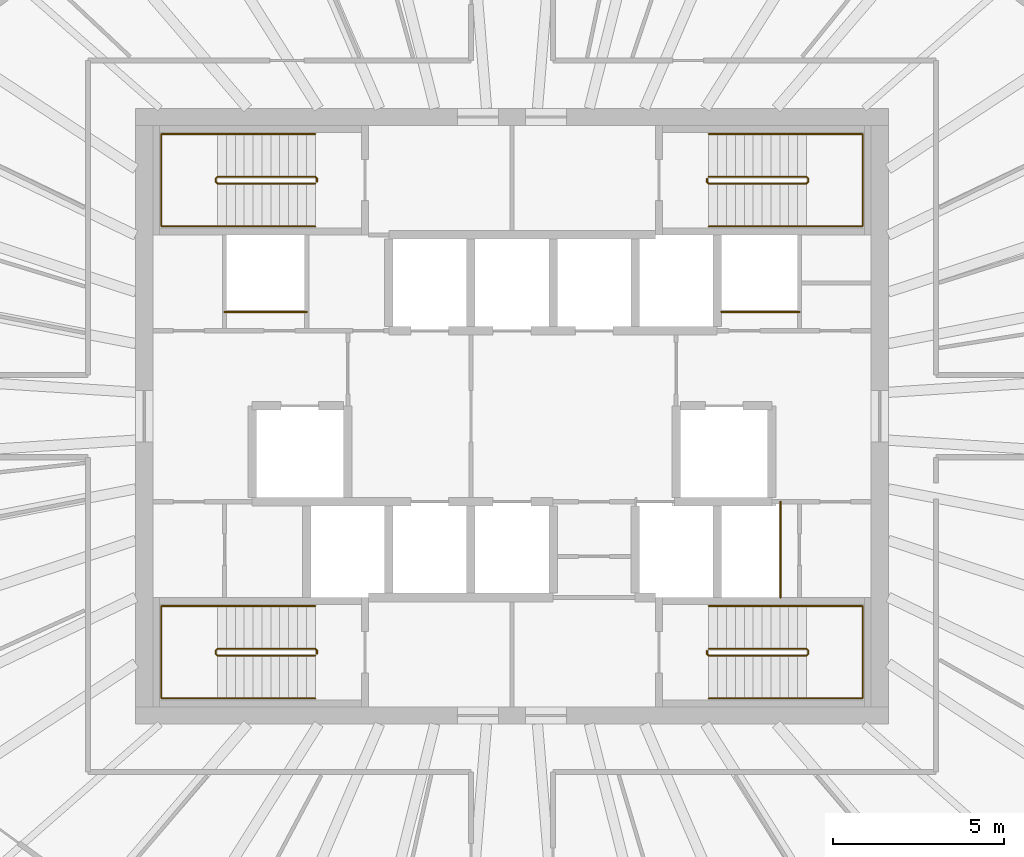
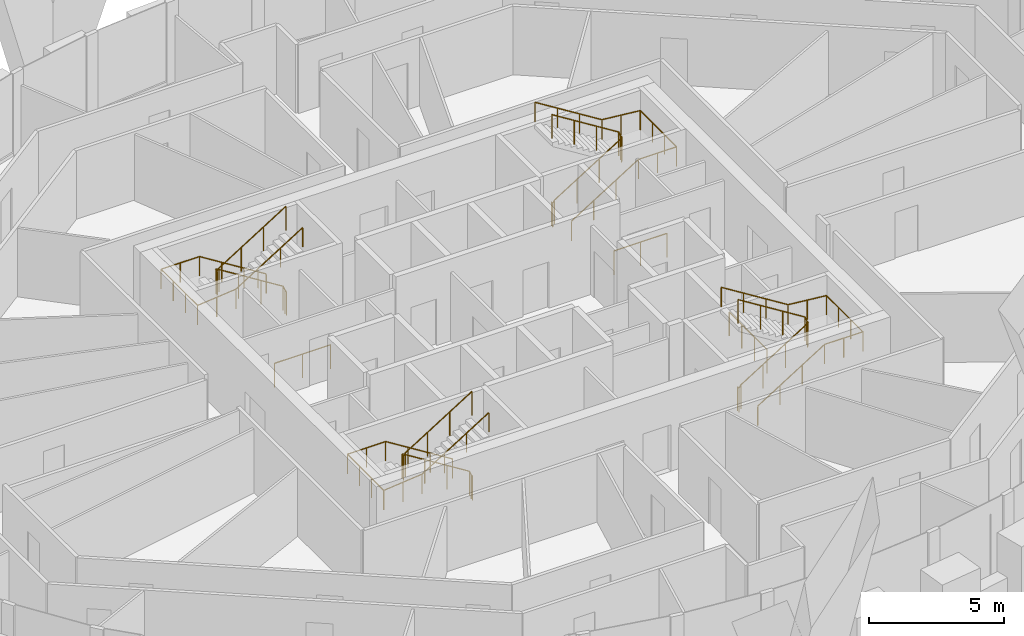
# One storey, part 13 of 13: 11 railings.
"""IFC4 building model written with IfcOpenShell, lengths in metres."""

import ifcopenshell
import ifcopenshell.guid

model = None  # the IFC model being written
_history = None  # IfcOwnerHistory: only IFC2X3 demands one
_inside = {}  # id of a spatial element -> (the spatial element, [elements in it])
_under = {}  # id of a project, library or spatial element -> (it, [spatial elements below it])
_declared = {}  # id of a project -> (the project, [libraries it declares])
_typed = {}  # id of a type object -> (the type object, [elements of that type])
_made_of = {}  # id of a material, layer set ... -> (it, [elements and type objects made of it])


def new_model(schema):
    """Start an empty IFC model of exactly this schema.

    Asked for "IFC4X3", IfcOpenShell would pick the latest addendum, in which some entities
    have other attributes; the version numbers below select the first issue.
    IFC2X3 requires an IfcOwnerHistory on every rooted entity: one is made here for all.
    """
    global model, _history
    if schema == "IFC4X3":
        model = ifcopenshell.file(schema_version=(4, 3, 0, 0))
    else:
        model = ifcopenshell.file(schema=schema)
    _inside.clear()
    _under.clear()
    _declared.clear()
    _typed.clear()
    _made_of.clear()
    _history = None
    if model.schema == "IFC2X3":
        org = make("IfcOrganization", Name="unknown")
        user = make(
            "IfcPersonAndOrganization",
            ThePerson=make("IfcPerson", FamilyName="unknown"),
            TheOrganization=org,
        )
        app = make(
            "IfcApplication",
            ApplicationDeveloper=org,
            Version="unknown",
            ApplicationFullName="unknown",
            ApplicationIdentifier="unknown",
        )
        _history = make(
            "IfcOwnerHistory",
            OwningUser=user,
            OwningApplication=app,
            ChangeAction="ADDED",
            CreationDate=0,
        )
    return model


def make(cls, **values):
    """One entity of the class cls with the attributes given. An attribute that is None is left unset."""
    return model.create_entity(
        cls, **{name: value for name, value in values.items() if value is not None}
    )


def rooted(cls, **values):
    """An entity with a GlobalId (a new one), such as an element, a storey or a relation."""
    return make(cls, GlobalId=ifcopenshell.guid.new(), OwnerHistory=_history, **values)


def si_unit(unit_type, name, prefix=None):
    """IfcSIUnit, for example si_unit("LENGTHUNIT", "METRE", prefix="MILLI")."""
    return make("IfcSIUnit", UnitType=unit_type, Prefix=prefix, Name=name)


def assignment(units):
    """IfcUnitAssignment: the units of a project."""
    return None if units is None else make("IfcUnitAssignment", Units=units)


def point(xyz):
    """IfcCartesianPoint."""
    return None if xyz is None else make("IfcCartesianPoint", Coordinates=xyz)


def direction(xyz):
    """IfcDirection."""
    return None if xyz is None else make("IfcDirection", DirectionRatios=xyz)


def frame(location, z_axis=None, x_axis=None):
    """IfcAxis2Placement3D, a coordinate frame: its origin and axes. An axis left out is left unset."""
    return make(
        "IfcAxis2Placement3D",
        Location=point(location),
        Axis=direction(z_axis),
        RefDirection=direction(x_axis),
    )


def frame_2d(location, x_axis=None):
    """IfcAxis2Placement2D, a coordinate frame in the plane: its origin and x axis."""
    return make(
        "IfcAxis2Placement2D", Location=point(location), RefDirection=direction(x_axis)
    )


def origin():
    """The frame at (0, 0, 0) with its axes left unset."""
    return frame((0.0, 0.0, 0.0))


def origin_2d():
    """The frame at (0, 0) in the plane with its x axis left unset."""
    return frame_2d((0.0, 0.0))


def place(relative_to, where):
    """IfcLocalPlacement: puts the frame where relative to a parent placement (None: the world)."""
    return make(
        "IfcLocalPlacement", PlacementRelTo=relative_to, RelativePlacement=where
    )


def context(
    kind, dimensions, precision=None, world=None, true_north=None, identifier=None
):
    """IfcGeometricRepresentationContext, for example the 3D "Model" context."""
    return make(
        "IfcGeometricRepresentationContext",
        ContextIdentifier=identifier,
        ContextType=kind,
        CoordinateSpaceDimension=dimensions,
        Precision=precision,
        WorldCoordinateSystem=world,
        TrueNorth=true_north,
    )


def subcontext(parent, identifier, kind, view, scale=None):
    """IfcGeometricRepresentationSubContext, for example "Body" below "Model"."""
    return make(
        "IfcGeometricRepresentationSubContext",
        ContextIdentifier=identifier,
        ContextType=kind,
        ParentContext=parent,
        TargetScale=scale,
        TargetView=view,
    )


def project(units=None, contexts=None):
    """IfcProject with its units and contexts."""
    return rooted(
        "IfcProject",
        Name="project",
        RepresentationContexts=contexts,
        UnitsInContext=assignment(units),
    )


def spatial(cls, under=None, at=None, **own):
    """A site, building, storey or space (cls), placed at a placement, below another one or the project."""
    s = rooted(cls, ObjectPlacement=at, **own)
    if under is not None:
        _under.setdefault(under.id(), (under, []))[1].append(s)
    return s


def profile(cls, at=None, kind="AREA", **sizes):
    """A parametric profile (cls). Its sizes go by their IFC names, for example OverallWidth=200.0."""
    return make(cls, ProfileType=kind, Position=at, **sizes)


def circle(**sizes):
    """IfcCircleProfileDef."""
    return profile("IfcCircleProfileDef", **sizes)


def extrude(swept, where, along, depth):
    """IfcExtrudedAreaSolid: the profile swept, set in the frame where, extruded along a direction by depth."""
    return make(
        "IfcExtrudedAreaSolid",
        SweptArea=swept,
        Position=where,
        ExtrudedDirection=direction(along),
        Depth=depth,
    )


def shape(context_of_items, identifier, shape_type, items):
    """IfcShapeRepresentation: the items that make up one representation, for example the "Body"."""
    return make(
        "IfcShapeRepresentation",
        ContextOfItems=context_of_items,
        RepresentationIdentifier=identifier,
        RepresentationType=shape_type,
        Items=items,
    )


def source(mapping_origin, context_of_items, identifier, shape_type, items):
    """IfcRepresentationMap: a shape defined once, which mapped items show again and again."""
    return make(
        "IfcRepresentationMap",
        MappingOrigin=mapping_origin,
        MappedRepresentation=shape(context_of_items, identifier, shape_type, items),
    )


def transform(
    local_origin,
    x_axis=None,
    y_axis=None,
    z_axis=None,
    scale=None,
    scale2=None,
    scale3=None,
    uniform=True,
):
    """IfcCartesianTransformationOperator3D, or its non-uniform kind. x_axis, y_axis, z_axis: its Axis1, 2, 3."""
    if uniform:
        return make(
            "IfcCartesianTransformationOperator3D",
            Axis1=direction(x_axis),
            Axis2=direction(y_axis),
            LocalOrigin=point(local_origin),
            Scale=scale,
            Axis3=direction(z_axis),
        )
    return make(
        "IfcCartesianTransformationOperator3DnonUniform",
        Axis1=direction(x_axis),
        Axis2=direction(y_axis),
        LocalOrigin=point(local_origin),
        Scale=scale,
        Axis3=direction(z_axis),
        Scale2=scale2,
        Scale3=scale3,
    )


def mapped(mapping_source, mapping_target):
    """IfcMappedItem: shows the shape of a source again, moved by a transform."""
    return make(
        "IfcMappedItem", MappingSource=mapping_source, MappingTarget=mapping_target
    )


def material(Name=None, Category=None):
    """IfcMaterial."""
    return make("IfcMaterial", Name=Name, Category=Category)


def made_of(thing, what):
    """Note that an element or type object is made of a material, layer set ...; save() writes the relation."""
    if what is not None:
        _made_of.setdefault(what.id(), (what, []))[1].append(thing)
    return thing


def type_object(cls, material=None, **own):
    """A type object (cls), such as IfcWallType, which elements share."""
    return made_of(rooted(cls, **own), material)


def element(
    cls,
    number,
    at=None,
    inside=None,
    cuts=None,
    type_object=None,
    material=None,
    context=None,
    identifier="Body",
    shape_type=None,
    held_by="IfcProductDefinitionShape",
    body=None,
    shapes=None,
    **own,
):
    """One element of the class cls, such as IfcWall. Its Tag is "e" and its number.

    at: its placement. inside: the storey or other place that contains it. cuts: it is an
    opening in that element (IfcRelVoidsElement). A single representation is given by context,
    identifier, shape_type and body (its items); several are given by shapes. held_by: the class
    of the entity that holds the representations. save() writes the other relations.
    """
    e = rooted(cls, Tag="e%d" % number, ObjectPlacement=at, **own)
    if body is not None:
        shapes = [shape(context, identifier, shape_type, body)]
    if shapes is not None:
        e.Representation = make(held_by, Representations=shapes)
    if inside is not None:
        _inside.setdefault(inside.id(), (inside, []))[1].append(e)
    if cuts is not None:
        rooted(
            "IfcRelVoidsElement", RelatingBuildingElement=cuts, RelatedOpeningElement=e
        )
    if type_object is not None:
        _typed.setdefault(type_object.id(), (type_object, []))[1].append(e)
    return made_of(e, material)


def aggregate(whole, parts):
    """IfcRelAggregates: a whole, such as a stair, and the parts it consists of."""
    return rooted("IfcRelAggregates", RelatingObject=whole, RelatedObjects=parts)


def save(model, path):
    """Write the relations noted so far, then the file.

    IfcRelAggregates (storeys below a building ...), IfcRelContainedInSpatialStructure (elements
    in a storey), IfcRelDefinesByType, IfcRelAssociatesMaterial and IfcRelDeclares: one each for
    every whole, place, type object, material and project.
    """
    for whole, parts in _under.values():
        aggregate(whole, parts)
    for where, things in _inside.values():
        rooted(
            "IfcRelContainedInSpatialStructure",
            RelatedElements=things,
            RelatingStructure=where,
        )
    for kind, things in _typed.values():
        rooted("IfcRelDefinesByType", RelatedObjects=things, RelatingType=kind)
    for what, things in _made_of.values():
        rooted("IfcRelAssociatesMaterial", RelatedObjects=things, RelatingMaterial=what)
    for by, libraries in _declared.values():
        rooted("IfcRelDeclares", RelatingContext=by, RelatedDefinitions=libraries)
    model.write(path)


model = new_model("IFC4")

# Units and contexts
model_context = context("Model", 3, precision=1e-05, world=origin(), true_north=direction((0.0, 1.0)))
body_context = subcontext(model_context, "Body", "Model", "MODEL_VIEW")
ifc_project = project(units=[si_unit("LENGTHUNIT", "METRE"), si_unit("AREAUNIT", "SQUARE_METRE"), si_unit("VOLUMEUNIT", "CUBIC_METRE"), si_unit("PLANEANGLEUNIT", "RADIAN"), si_unit("MASSUNIT", "GRAM", prefix="KILO")], contexts=[model_context])

# Site, building, storey
site_placement = place(None, origin())
site = spatial("IfcSite", under=ifc_project, at=site_placement, CompositionType="ELEMENT")
building_placement = place(site_placement, origin())
building = spatial("IfcBuilding", under=site, at=building_placement, Name="Embergate Tower", CompositionType="ELEMENT")
storey_placement = place(building_placement, frame((0.0, 0.0, 316.89990234375)))
storey = spatial("IfcBuildingStorey", under=building, at=storey_placement, Name="L74", CompositionType="ELEMENT", Elevation=316.89990234375)

# Railings
ifc_material_1 = material(Name="Stair guard 1100")
railing_type_1 = type_object("IfcRailingType", Name="Stair guard 1100", PredefinedType="GUARDRAIL", material=ifc_material_1)
shared_shape_1 = source(origin(), body_context, "Body", "SweptSolid", [
    extrude(circle(Radius=0.02392578125, at=origin_2d()), frame((0.0, 0.0, 1.076171875), z_axis=(0.0, 1.0, 0.0), x_axis=(-1.0, 0.0, 0.0)), (0.0, 0.0, 1.0), 0.099853515625),
    extrude(circle(Radius=0.02392578125, at=origin_2d()), frame((0.0, 0.099853515625, 1.076171875), z_axis=(-0.282227285176, 0.282227285176, 0.916894497205), x_axis=(-0.707106781187, -0.707106781187, 0.0)), (0.0, 0.0, 1.0), 0.17724609375),
    extrude(circle(Radius=0.02392578125, at=origin_2d()), frame((-0.050048828125, 0.14990234375, 1.23876953125), z_axis=(-0.847994237388, 0.0, 0.530005446535), x_axis=(0.0, -1.0, 0.0)), (0.0, 0.0, 1.0), 3.372802734375),
    extrude(circle(Radius=0.02392578125, at=origin_2d()), frame((-2.91015625, 0.14990234375, 3.0263671875), z_axis=(-0.705375805398, -0.708833529934, 0.0), x_axis=(0.708833529934, -0.705375805398, 0.0)), (0.0, 0.0, 1.0), 0.070556640625),
    extrude(circle(Radius=0.02392578125, at=origin_2d()), frame((-2.9599609375, 0.099853515625, 3.0263671875), z_axis=(0.0, -1.0, 0.0), x_axis=(1.0, 0.0, 0.0)), (0.0, 0.0, 1.0), 0.099853515625),
    extrude(circle(Radius=0.02392578125, at=origin_2d()), frame((-2.9599609375, 0.0, 3.0263671875), z_axis=(0.281314826061, -0.282693820306, 0.917031173188), x_axis=(0.708833529934, 0.705375805398, 0.0)), (0.0, 0.0, 1.0), 0.177001953125),
    extrude(circle(Radius=0.02392578125, at=origin_2d()), frame((-2.91015625, -0.050048828125, 3.1884765625), z_axis=(0.847994237388, 0.0, 0.530005446535), x_axis=(0.0, 1.0, 0.0)), (0.0, 0.0, 1.0), 3.372802734375),
    extrude(circle(Radius=0.02099609375, at=origin_2d()), origin(), (0.0, 0.0, 1.0), 1.052001953125),
    extrude(circle(Radius=0.02099609375, at=origin_2d()), frame((0.0, 0.099853515625, 0.0)), (0.0, 0.0, 1.0), 1.052001953125),
    extrude(circle(Radius=0.02099609375, at=origin_2d()), frame((-0.050048828125, 0.14990234375, 0.16259765625)), (0.0, 0.0, 1.0), 1.052001953125),
    extrude(circle(Radius=0.02099609375, at=origin_2d()), frame((-1.00341796875, 0.14990234375, 0.758544921875)), (0.0, 0.0, 1.0), 1.052001953125),
    extrude(circle(Radius=0.02099609375, at=origin_2d()), frame((-1.956787109375, 0.14990234375, 1.354248046875)), (0.0, 0.0, 1.0), 1.052001953125),
    extrude(circle(Radius=0.02099609375, at=origin_2d()), frame((-2.91015625, 0.14990234375, 1.9501953125)), (0.0, 0.0, 1.0), 1.052001953125),
    extrude(circle(Radius=0.02099609375, at=origin_2d()), frame((-2.9599609375, 0.099853515625, 1.9501953125)), (0.0, 0.0, 1.0), 1.052001953125),
    extrude(circle(Radius=0.02099609375, at=origin_2d()), frame((-2.9599609375, 0.0, 1.9501953125)), (0.0, 0.0, 1.0), 1.052001953125),
    extrude(circle(Radius=0.02099609375, at=origin_2d()), frame((-2.91015625, -0.050048828125, 2.112548828125)), (0.0, 0.0, 1.0), 1.052001953125),
    extrude(circle(Radius=0.02099609375, at=origin_2d()), frame((-1.956787109375, -0.050048828125, 2.70849609375)), (0.0, 0.0, 1.0), 1.052001953125),
    extrude(circle(Radius=0.02099609375, at=origin_2d()), frame((-1.00341796875, -0.050048828125, 3.30419921875)), (0.0, 0.0, 1.0), 1.052001953125),
    extrude(circle(Radius=0.02099609375, at=origin_2d()), frame((-0.050048828125, -0.050048828125, 3.900146484375)), (0.0, 0.0, 1.0), 1.052001953125),
])
for number, where, name in (
    (1, (-5.699951171875, 6.85009765625, 0.0), "L74 ST1 stair guard 1"),
    (2, (-5.699951171875, -6.949951171875, 0.0), "L74 ST3 stair guard 1"),
):
    element("IfcRailing", number, at=place(storey_placement, frame(where)), inside=storey, type_object=railing_type_1, Name=name, PredefinedType="GUARDRAIL", context=body_context, shape_type="MappedRepresentation", body=[
        mapped(shared_shape_1, transform((0.0, 0.0, 0.0))),
    ])
ifc_material_2 = material(Name="Stair handrail 900")
railing_type_2 = type_object("IfcRailingType", Name="Stair handrail 900", PredefinedType="HANDRAIL", material=ifc_material_2)
shared_shape_2 = source(origin(), body_context, "Body", "SweptSolid", [
    extrude(circle(Radius=0.02392578125, at=origin_2d()), frame((0.0, 0.0, 0.8759765625), z_axis=(-0.847994237388, 0.0, 0.530005446535), x_axis=(0.0, -1.0, 0.0)), (0.0, 0.0, 1.0), 3.372802734375),
    extrude(circle(Radius=0.02392578125, at=origin_2d()), frame((-2.860107421875, 0.0, 2.66357421875), z_axis=(-1.0, 0.0, 0.0), x_axis=(0.0, -1.0, 0.0)), (0.0, 0.0, 1.0), 1.639892578125),
    extrude(circle(Radius=0.02392578125, at=origin_2d()), frame((-4.5, 0.0, 2.66357421875), z_axis=(0.0, -1.0, 0.0), x_axis=(1.0, 0.0, 0.0)), (0.0, 0.0, 1.0), 2.699951171875),
    extrude(circle(Radius=0.02392578125, at=origin_2d()), frame((-4.5, -2.699951171875, 2.66357421875), z_axis=(0.995134983717, 0.0, 0.098520881967), x_axis=(0.0, 1.0, 0.0)), (0.0, 0.0, 1.0), 1.64794921875),
    extrude(circle(Radius=0.02392578125, at=origin_2d()), frame((-2.860107421875, -2.699951171875, 2.82568359375), z_axis=(0.847994237388, 0.0, 0.530005446535), x_axis=(0.0, 1.0, 0.0)), (0.0, 0.0, 1.0), 3.372802734375),
    extrude(circle(Radius=0.02099609375, at=origin_2d()), origin(), (0.0, 0.0, 1.0), 0.851806640625),
    extrude(circle(Radius=0.02099609375, at=origin_2d()), frame((-0.953369140625, 0.0, 0.595947265625)), (0.0, 0.0, 1.0), 0.851806640625),
    extrude(circle(Radius=0.02099609375, at=origin_2d()), frame((-1.90673828125, 0.0, 1.191650390625)), (0.0, 0.0, 1.0), 0.851806640625),
    extrude(circle(Radius=0.02099609375, at=origin_2d()), frame((-2.860107421875, 0.0, 1.78759765625)), (0.0, 0.0, 1.0), 0.851806640625),
    extrude(circle(Radius=0.02099609375, at=origin_2d()), frame((-3.68017578125, 0.0, 1.78759765625)), (0.0, 0.0, 1.0), 0.851806640625),
    extrude(circle(Radius=0.02099609375, at=origin_2d()), frame((-4.5, 0.0, 1.78759765625)), (0.0, 0.0, 1.0), 0.851806640625),
    extrude(circle(Radius=0.02099609375, at=origin_2d()), frame((-4.5, -0.89990234375, 1.78759765625)), (0.0, 0.0, 1.0), 0.851806640625),
    extrude(circle(Radius=0.02099609375, at=origin_2d()), frame((-4.5, -1.800048828125, 1.78759765625)), (0.0, 0.0, 1.0), 0.851806640625),
    extrude(circle(Radius=0.02099609375, at=origin_2d()), frame((-4.5, -2.699951171875, 1.78759765625)), (0.0, 0.0, 1.0), 0.851806640625),
    extrude(circle(Radius=0.02099609375, at=origin_2d()), frame((-3.68017578125, -2.699951171875, 1.86865234375)), (0.0, 0.0, 1.0), 0.851806640625),
    extrude(circle(Radius=0.02099609375, at=origin_2d()), frame((-2.860107421875, -2.699951171875, 1.949951171875)), (0.0, 0.0, 1.0), 0.851806640625),
    extrude(circle(Radius=0.02099609375, at=origin_2d()), frame((-1.90673828125, -2.699951171875, 2.5458984375)), (0.0, 0.0, 1.0), 0.851806640625),
    extrude(circle(Radius=0.02099609375, at=origin_2d()), frame((-0.953369140625, -2.699951171875, 3.1416015625)), (0.0, 0.0, 1.0), 0.851806640625),
    extrude(circle(Radius=0.02099609375, at=origin_2d()), frame((0.0, -2.699951171875, 3.737548828125)), (0.0, 0.0, 1.0), 0.851806640625),
])
for number, where, name in (
    (3, (-5.75, 8.25, 0.16259765625), "L74 ST1 stair handrail 1"),
    (4, (-5.75, -5.550048828125, 0.16259765625), "L74 ST3 stair handrail 1"),
):
    element("IfcRailing", number, at=place(storey_placement, frame(where)), inside=storey, type_object=railing_type_2, Name=name, PredefinedType="HANDRAIL", context=body_context, shape_type="MappedRepresentation", body=[
        mapped(shared_shape_2, transform((0.0, 0.0, 0.0))),
    ])
shared_shape_3 = source(origin(), body_context, "Body", "SweptSolid", [
    extrude(circle(Radius=0.02392578125, at=origin_2d()), frame((0.0, 0.0, 1.076171875), z_axis=(0.0, -1.0, 0.0), x_axis=(1.0, 0.0, 0.0)), (0.0, 0.0, 1.0), 0.099853515625),
    extrude(circle(Radius=0.02392578125, at=origin_2d()), frame((0.0, -0.099853515625, 1.076171875), z_axis=(0.282227285176, -0.282227285176, 0.916894497205), x_axis=(0.707106781187, 0.707106781187, 0.0)), (0.0, 0.0, 1.0), 0.17724609375),
    extrude(circle(Radius=0.02392578125, at=origin_2d()), frame((0.050048828125, -0.14990234375, 1.23876953125), z_axis=(0.847994237388, 0.0, 0.530005446535), x_axis=(0.0, 1.0, 0.0)), (0.0, 0.0, 1.0), 3.372802734375),
    extrude(circle(Radius=0.02392578125, at=origin_2d()), frame((2.91015625, -0.14990234375, 3.0263671875), z_axis=(0.705375805398, 0.708833529934, 0.0), x_axis=(-0.708833529934, 0.705375805398, 0.0)), (0.0, 0.0, 1.0), 0.070556640625),
    extrude(circle(Radius=0.02392578125, at=origin_2d()), frame((2.9599609375, -0.099853515625, 3.0263671875), z_axis=(0.0, 1.0, 0.0), x_axis=(-1.0, 0.0, 0.0)), (0.0, 0.0, 1.0), 0.099853515625),
    extrude(circle(Radius=0.02392578125, at=origin_2d()), frame((2.9599609375, 0.0, 3.0263671875), z_axis=(-0.281314826061, 0.282693820306, 0.917031173188), x_axis=(-0.708833529934, -0.705375805398, 0.0)), (0.0, 0.0, 1.0), 0.177001953125),
    extrude(circle(Radius=0.02392578125, at=origin_2d()), frame((2.91015625, 0.050048828125, 3.1884765625), z_axis=(-0.847994237388, 0.0, 0.530005446535), x_axis=(0.0, -1.0, 0.0)), (0.0, 0.0, 1.0), 3.372802734375),
    extrude(circle(Radius=0.02099609375, at=origin_2d()), origin(), (0.0, 0.0, 1.0), 1.052001953125),
    extrude(circle(Radius=0.02099609375, at=origin_2d()), frame((0.0, -0.099853515625, 0.0)), (0.0, 0.0, 1.0), 1.052001953125),
    extrude(circle(Radius=0.02099609375, at=origin_2d()), frame((0.050048828125, -0.14990234375, 0.16259765625)), (0.0, 0.0, 1.0), 1.052001953125),
    extrude(circle(Radius=0.02099609375, at=origin_2d()), frame((1.00341796875, -0.14990234375, 0.758544921875)), (0.0, 0.0, 1.0), 1.052001953125),
    extrude(circle(Radius=0.02099609375, at=origin_2d()), frame((1.956787109375, -0.14990234375, 1.354248046875)), (0.0, 0.0, 1.0), 1.052001953125),
    extrude(circle(Radius=0.02099609375, at=origin_2d()), frame((2.91015625, -0.14990234375, 1.9501953125)), (0.0, 0.0, 1.0), 1.052001953125),
    extrude(circle(Radius=0.02099609375, at=origin_2d()), frame((2.9599609375, -0.099853515625, 1.9501953125)), (0.0, 0.0, 1.0), 1.052001953125),
    extrude(circle(Radius=0.02099609375, at=origin_2d()), frame((2.9599609375, 0.0, 1.9501953125)), (0.0, 0.0, 1.0), 1.052001953125),
    extrude(circle(Radius=0.02099609375, at=origin_2d()), frame((2.91015625, 0.050048828125, 2.112548828125)), (0.0, 0.0, 1.0), 1.052001953125),
    extrude(circle(Radius=0.02099609375, at=origin_2d()), frame((1.956787109375, 0.050048828125, 2.70849609375)), (0.0, 0.0, 1.0), 1.052001953125),
    extrude(circle(Radius=0.02099609375, at=origin_2d()), frame((1.00341796875, 0.050048828125, 3.30419921875)), (0.0, 0.0, 1.0), 1.052001953125),
    extrude(circle(Radius=0.02099609375, at=origin_2d()), frame((0.050048828125, 0.050048828125, 3.900146484375)), (0.0, 0.0, 1.0), 1.052001953125),
])
for number, where, name in (
    (5, (5.699951171875, 6.949951171875, 0.0), "L74 ST2 stair guard 1"),
    (6, (5.699951171875, -6.85009765625, 0.0), "L74 ST4 stair guard 1"),
):
    element("IfcRailing", number, at=place(storey_placement, frame(where)), inside=storey, type_object=railing_type_1, Name=name, PredefinedType="GUARDRAIL", context=body_context, shape_type="MappedRepresentation", body=[
        mapped(shared_shape_3, transform((0.0, 0.0, 0.0))),
    ])
shared_shape_4 = source(origin(), body_context, "Body", "SweptSolid", [
    extrude(circle(Radius=0.02392578125, at=origin_2d()), frame((0.0, 0.0, 0.8759765625), z_axis=(0.847994237388, 0.0, 0.530005446535), x_axis=(0.0, 1.0, 0.0)), (0.0, 0.0, 1.0), 3.372802734375),
    extrude(circle(Radius=0.02392578125, at=origin_2d()), frame((2.860107421875, 0.0, 2.66357421875), z_axis=(1.0, 0.0, 0.0), x_axis=(0.0, 1.0, 0.0)), (0.0, 0.0, 1.0), 1.639892578125),
    extrude(circle(Radius=0.02392578125, at=origin_2d()), frame((4.5, 0.0, 2.66357421875), z_axis=(0.0, 1.0, 0.0), x_axis=(-1.0, 0.0, 0.0)), (0.0, 0.0, 1.0), 2.699951171875),
    extrude(circle(Radius=0.02392578125, at=origin_2d()), frame((4.5, 2.699951171875, 2.66357421875), z_axis=(-0.995134983717, 0.0, 0.098520881967), x_axis=(0.0, -1.0, 0.0)), (0.0, 0.0, 1.0), 1.64794921875),
    extrude(circle(Radius=0.02392578125, at=origin_2d()), frame((2.860107421875, 2.699951171875, 2.82568359375), z_axis=(-0.847994237388, 0.0, 0.530005446535), x_axis=(0.0, -1.0, 0.0)), (0.0, 0.0, 1.0), 3.372802734375),
    extrude(circle(Radius=0.02099609375, at=origin_2d()), origin(), (0.0, 0.0, 1.0), 0.851806640625),
    extrude(circle(Radius=0.02099609375, at=origin_2d()), frame((0.953369140625, 0.0, 0.595947265625)), (0.0, 0.0, 1.0), 0.851806640625),
    extrude(circle(Radius=0.02099609375, at=origin_2d()), frame((1.90673828125, 0.0, 1.191650390625)), (0.0, 0.0, 1.0), 0.851806640625),
    extrude(circle(Radius=0.02099609375, at=origin_2d()), frame((2.860107421875, 0.0, 1.78759765625)), (0.0, 0.0, 1.0), 0.851806640625),
    extrude(circle(Radius=0.02099609375, at=origin_2d()), frame((3.68017578125, 0.0, 1.78759765625)), (0.0, 0.0, 1.0), 0.851806640625),
    extrude(circle(Radius=0.02099609375, at=origin_2d()), frame((4.5, 0.0, 1.78759765625)), (0.0, 0.0, 1.0), 0.851806640625),
    extrude(circle(Radius=0.02099609375, at=origin_2d()), frame((4.5, 0.89990234375, 1.78759765625)), (0.0, 0.0, 1.0), 0.851806640625),
    extrude(circle(Radius=0.02099609375, at=origin_2d()), frame((4.5, 1.800048828125, 1.78759765625)), (0.0, 0.0, 1.0), 0.851806640625),
    extrude(circle(Radius=0.02099609375, at=origin_2d()), frame((4.5, 2.699951171875, 1.78759765625)), (0.0, 0.0, 1.0), 0.851806640625),
    extrude(circle(Radius=0.02099609375, at=origin_2d()), frame((3.68017578125, 2.699951171875, 1.86865234375)), (0.0, 0.0, 1.0), 0.851806640625),
    extrude(circle(Radius=0.02099609375, at=origin_2d()), frame((2.860107421875, 2.699951171875, 1.949951171875)), (0.0, 0.0, 1.0), 0.851806640625),
    extrude(circle(Radius=0.02099609375, at=origin_2d()), frame((1.90673828125, 2.699951171875, 2.5458984375)), (0.0, 0.0, 1.0), 0.851806640625),
    extrude(circle(Radius=0.02099609375, at=origin_2d()), frame((0.953369140625, 2.699951171875, 3.1416015625)), (0.0, 0.0, 1.0), 0.851806640625),
    extrude(circle(Radius=0.02099609375, at=origin_2d()), frame((0.0, 2.699951171875, 3.737548828125)), (0.0, 0.0, 1.0), 0.851806640625),
])
for number, where, name in (
    (7, (5.75, 5.550048828125, 0.16259765625), "L74 ST2 stair handrail 1"),
    (8, (5.75, -8.25, 0.16259765625), "L74 ST4 stair handrail 1"),
):
    element("IfcRailing", number, at=place(storey_placement, frame(where)), inside=storey, type_object=railing_type_2, Name=name, PredefinedType="HANDRAIL", context=body_context, shape_type="MappedRepresentation", body=[
        mapped(shared_shape_4, transform((0.0, 0.0, 0.0))),
    ])
ifc_material_3 = material(Name="Opening guard 1100")
railing_type_3 = type_object("IfcRailingType", Name="Opening guard 1100", PredefinedType="GUARDRAIL", material=ifc_material_3)
shared_shape_5 = source(origin(), body_context, "Body", "SweptSolid", [
    extrude(circle(Radius=0.02392578125, at=origin_2d()), frame((0.0, 0.0, 1.076171875), z_axis=(1.0, 0.0, 0.0), x_axis=(0.0, 1.0, 0.0)), (0.0, 0.0, 1.0), 2.27490234375),
    extrude(circle(Radius=0.02099609375, at=origin_2d()), origin(), (0.0, 0.0, 1.0), 1.052001953125),
    extrude(circle(Radius=0.02099609375, at=origin_2d()), frame((1.137451171875, 0.0, 0.0)), (0.0, 0.0, 1.0), 1.052001953125),
    extrude(circle(Radius=0.02099609375, at=origin_2d()), frame((2.27490234375, 0.0, 0.0)), (0.0, 0.0, 1.0), 1.052001953125),
])
railing_1_placement = place(storey_placement, frame((6.125, 3.050048828125, 0.0)))
element("IfcRailing", 9, at=railing_1_placement, inside=storey, type_object=railing_type_3, Name="Riser opening guard", PredefinedType="GUARDRAIL", context=body_context, shape_type="MappedRepresentation", body=[
    mapped(shared_shape_5, transform((0.0, 0.0, 0.0))),
])
shared_shape_6 = source(origin(), body_context, "Body", "SweptSolid", [
    extrude(circle(Radius=0.02392578125, at=origin_2d()), frame((0.0, 0.0, 1.076171875), z_axis=(0.0, 1.0, 0.0), x_axis=(-1.0, 0.0, 0.0)), (0.0, 0.0, 1.0), 2.800048828125),
    extrude(circle(Radius=0.02099609375, at=origin_2d()), origin(), (0.0, 0.0, 1.0), 1.052001953125),
    extrude(circle(Radius=0.02099609375, at=origin_2d()), frame((0.0, 0.933349609375, 0.0)), (0.0, 0.0, 1.0), 1.052001953125),
    extrude(circle(Radius=0.02099609375, at=origin_2d()), frame((0.0, 1.86669921875, 0.0)), (0.0, 0.0, 1.0), 1.052001953125),
    extrude(circle(Radius=0.02099609375, at=origin_2d()), frame((0.0, 2.800048828125, 0.0)), (0.0, 0.0, 1.0), 1.052001953125),
])
railing_2_placement = place(storey_placement, frame((7.85009765625, -5.300048828125, 0.0)))
element("IfcRailing", 10, at=railing_2_placement, inside=storey, type_object=railing_type_3, Name="Riser opening guard", PredefinedType="GUARDRAIL", context=body_context, shape_type="MappedRepresentation", body=[
    mapped(shared_shape_6, transform((0.0, 0.0, 0.0))),
])
shared_shape_7 = source(origin(), body_context, "Body", "SweptSolid", [
    extrude(circle(Radius=0.02392578125, at=origin_2d()), frame((0.0, 0.0, 1.076171875), z_axis=(1.0, 0.0, 0.0), x_axis=(0.0, 1.0, 0.0)), (0.0, 0.0, 1.0), 2.39990234375),
    extrude(circle(Radius=0.02099609375, at=origin_2d()), origin(), (0.0, 0.0, 1.0), 1.052001953125),
    extrude(circle(Radius=0.02099609375, at=origin_2d()), frame((1.199951171875, 0.0, 0.0)), (0.0, 0.0, 1.0), 1.052001953125),
    extrude(circle(Radius=0.02099609375, at=origin_2d()), frame((2.39990234375, 0.0, 0.0)), (0.0, 0.0, 1.0), 1.052001953125),
])
railing_3_placement = place(storey_placement, frame((-8.39990234375, 3.050048828125, 0.0)))
element("IfcRailing", 11, at=railing_3_placement, inside=storey, type_object=railing_type_3, Name="Riser opening guard", PredefinedType="GUARDRAIL", context=body_context, shape_type="MappedRepresentation", body=[
    mapped(shared_shape_7, transform((0.0, 0.0, 0.0))),
])

save(model, "model.ifc")
